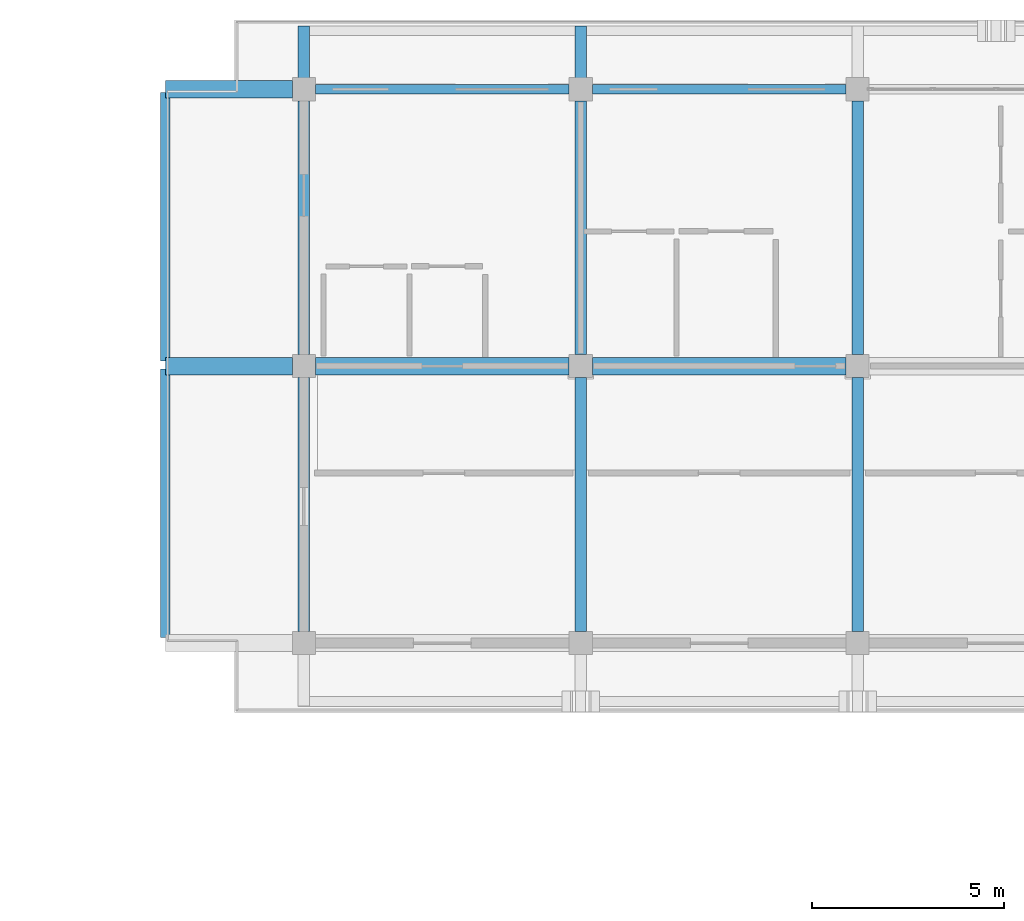
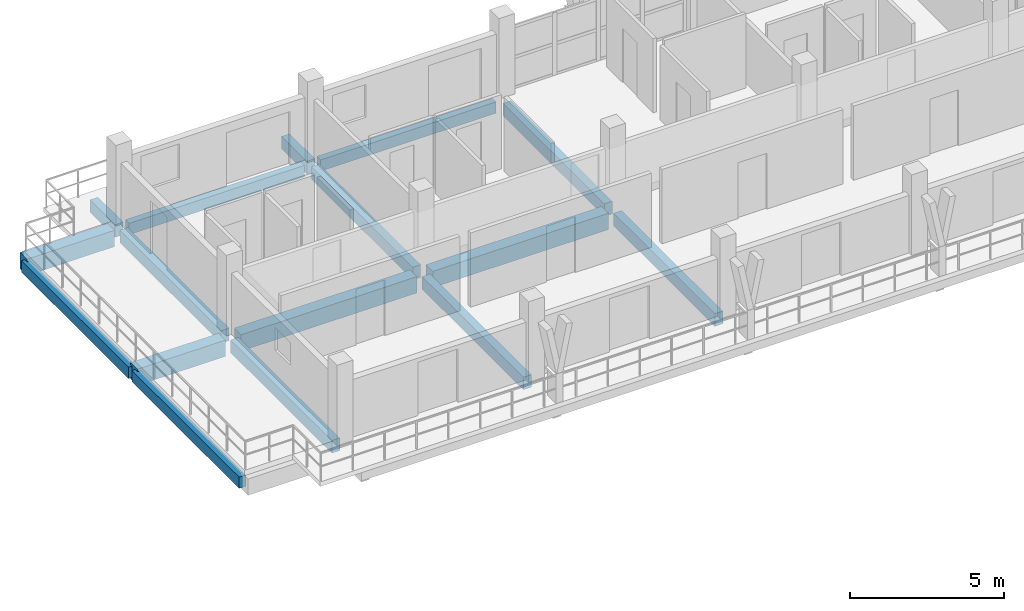
# One storey, part 8 of 65: 16 beams.
"""IFC4 building model written with IfcOpenShell, lengths in metres."""

import ifcopenshell
import ifcopenshell.guid

model = None  # the IFC model being written
_history = None  # IfcOwnerHistory: only IFC2X3 demands one
_inside = {}  # id of a spatial element -> (the spatial element, [elements in it])
_under = {}  # id of a project, library or spatial element -> (it, [spatial elements below it])
_declared = {}  # id of a project -> (the project, [libraries it declares])
_typed = {}  # id of a type object -> (the type object, [elements of that type])
_made_of = {}  # id of a material, layer set ... -> (it, [elements and type objects made of it])


def new_model(schema):
    """Start an empty IFC model of exactly this schema.

    Asked for "IFC4X3", IfcOpenShell would pick the latest addendum, in which some entities
    have other attributes; the version numbers below select the first issue.
    IFC2X3 requires an IfcOwnerHistory on every rooted entity: one is made here for all.
    """
    global model, _history
    if schema == "IFC4X3":
        model = ifcopenshell.file(schema_version=(4, 3, 0, 0))
    else:
        model = ifcopenshell.file(schema=schema)
    _inside.clear()
    _under.clear()
    _declared.clear()
    _typed.clear()
    _made_of.clear()
    _history = None
    if model.schema == "IFC2X3":
        org = make("IfcOrganization", Name="unknown")
        user = make(
            "IfcPersonAndOrganization",
            ThePerson=make("IfcPerson", FamilyName="unknown"),
            TheOrganization=org,
        )
        app = make(
            "IfcApplication",
            ApplicationDeveloper=org,
            Version="unknown",
            ApplicationFullName="unknown",
            ApplicationIdentifier="unknown",
        )
        _history = make(
            "IfcOwnerHistory",
            OwningUser=user,
            OwningApplication=app,
            ChangeAction="ADDED",
            CreationDate=0,
        )
    return model


def make(cls, **values):
    """One entity of the class cls with the attributes given. An attribute that is None is left unset."""
    return model.create_entity(
        cls, **{name: value for name, value in values.items() if value is not None}
    )


def rooted(cls, **values):
    """An entity with a GlobalId (a new one), such as an element, a storey or a relation."""
    return make(cls, GlobalId=ifcopenshell.guid.new(), OwnerHistory=_history, **values)


def si_unit(unit_type, name, prefix=None):
    """IfcSIUnit, for example si_unit("LENGTHUNIT", "METRE", prefix="MILLI")."""
    return make("IfcSIUnit", UnitType=unit_type, Prefix=prefix, Name=name)


def assignment(units):
    """IfcUnitAssignment: the units of a project."""
    return None if units is None else make("IfcUnitAssignment", Units=units)


def point(xyz):
    """IfcCartesianPoint."""
    return None if xyz is None else make("IfcCartesianPoint", Coordinates=xyz)


def direction(xyz):
    """IfcDirection."""
    return None if xyz is None else make("IfcDirection", DirectionRatios=xyz)


def frame(location, z_axis=None, x_axis=None):
    """IfcAxis2Placement3D, a coordinate frame: its origin and axes. An axis left out is left unset."""
    return make(
        "IfcAxis2Placement3D",
        Location=point(location),
        Axis=direction(z_axis),
        RefDirection=direction(x_axis),
    )


def frame_2d(location, x_axis=None):
    """IfcAxis2Placement2D, a coordinate frame in the plane: its origin and x axis."""
    return make(
        "IfcAxis2Placement2D", Location=point(location), RefDirection=direction(x_axis)
    )


def origin():
    """The frame at (0, 0, 0) with its axes left unset."""
    return frame((0.0, 0.0, 0.0))


def origin_2d():
    """The frame at (0, 0) in the plane with its x axis left unset."""
    return frame_2d((0.0, 0.0))


def place(relative_to, where):
    """IfcLocalPlacement: puts the frame where relative to a parent placement (None: the world)."""
    return make(
        "IfcLocalPlacement", PlacementRelTo=relative_to, RelativePlacement=where
    )


def context(
    kind, dimensions, precision=None, world=None, true_north=None, identifier=None
):
    """IfcGeometricRepresentationContext, for example the 3D "Model" context."""
    return make(
        "IfcGeometricRepresentationContext",
        ContextIdentifier=identifier,
        ContextType=kind,
        CoordinateSpaceDimension=dimensions,
        Precision=precision,
        WorldCoordinateSystem=world,
        TrueNorth=true_north,
    )


def subcontext(parent, identifier, kind, view, scale=None):
    """IfcGeometricRepresentationSubContext, for example "Body" below "Model"."""
    return make(
        "IfcGeometricRepresentationSubContext",
        ContextIdentifier=identifier,
        ContextType=kind,
        ParentContext=parent,
        TargetScale=scale,
        TargetView=view,
    )


def project(units=None, contexts=None):
    """IfcProject with its units and contexts."""
    return rooted(
        "IfcProject",
        Name="project",
        RepresentationContexts=contexts,
        UnitsInContext=assignment(units),
    )


def spatial(cls, under=None, at=None, **own):
    """A site, building, storey or space (cls), placed at a placement, below another one or the project."""
    s = rooted(cls, ObjectPlacement=at, **own)
    if under is not None:
        _under.setdefault(under.id(), (under, []))[1].append(s)
    return s


def profile(cls, at=None, kind="AREA", **sizes):
    """A parametric profile (cls). Its sizes go by their IFC names, for example OverallWidth=200.0."""
    return make(cls, ProfileType=kind, Position=at, **sizes)


def rectangle(**sizes):
    """IfcRectangleProfileDef."""
    return profile("IfcRectangleProfileDef", **sizes)


def extrude(swept, where, along, depth):
    """IfcExtrudedAreaSolid: the profile swept, set in the frame where, extruded along a direction by depth."""
    return make(
        "IfcExtrudedAreaSolid",
        SweptArea=swept,
        Position=where,
        ExtrudedDirection=direction(along),
        Depth=depth,
    )


def shape(context_of_items, identifier, shape_type, items):
    """IfcShapeRepresentation: the items that make up one representation, for example the "Body"."""
    return make(
        "IfcShapeRepresentation",
        ContextOfItems=context_of_items,
        RepresentationIdentifier=identifier,
        RepresentationType=shape_type,
        Items=items,
    )


def material(Name=None, Category=None):
    """IfcMaterial."""
    return make("IfcMaterial", Name=Name, Category=Category)


def material_profile(
    of_material, cross_section, Name=None, Category=None, Priority=None
):
    """IfcMaterialProfile: a cross section and its material."""
    return make(
        "IfcMaterialProfile",
        Name=Name,
        Material=of_material,
        Profile=cross_section,
        Priority=Priority,
        Category=Category,
    )


def profile_set(profiles, Name=None, composite=None):
    """IfcMaterialProfileSet."""
    return make(
        "IfcMaterialProfileSet",
        Name=Name,
        MaterialProfiles=profiles,
        CompositeProfile=composite,
    )


def made_of(thing, what):
    """Note that an element or type object is made of a material, layer set ...; save() writes the relation."""
    if what is not None:
        _made_of.setdefault(what.id(), (what, []))[1].append(thing)
    return thing


def type_object(cls, material=None, **own):
    """A type object (cls), such as IfcWallType, which elements share."""
    return made_of(rooted(cls, **own), material)


def element(
    cls,
    number,
    at=None,
    inside=None,
    cuts=None,
    type_object=None,
    material=None,
    context=None,
    identifier="Body",
    shape_type=None,
    held_by="IfcProductDefinitionShape",
    body=None,
    shapes=None,
    **own,
):
    """One element of the class cls, such as IfcWall. Its Tag is "e" and its number.

    at: its placement. inside: the storey or other place that contains it. cuts: it is an
    opening in that element (IfcRelVoidsElement). A single representation is given by context,
    identifier, shape_type and body (its items); several are given by shapes. held_by: the class
    of the entity that holds the representations. save() writes the other relations.
    """
    e = rooted(cls, Tag="e%d" % number, ObjectPlacement=at, **own)
    if body is not None:
        shapes = [shape(context, identifier, shape_type, body)]
    if shapes is not None:
        e.Representation = make(held_by, Representations=shapes)
    if inside is not None:
        _inside.setdefault(inside.id(), (inside, []))[1].append(e)
    if cuts is not None:
        rooted(
            "IfcRelVoidsElement", RelatingBuildingElement=cuts, RelatedOpeningElement=e
        )
    if type_object is not None:
        _typed.setdefault(type_object.id(), (type_object, []))[1].append(e)
    return made_of(e, material)


def aggregate(whole, parts):
    """IfcRelAggregates: a whole, such as a stair, and the parts it consists of."""
    return rooted("IfcRelAggregates", RelatingObject=whole, RelatedObjects=parts)


def save(model, path):
    """Write the relations noted so far, then the file.

    IfcRelAggregates (storeys below a building ...), IfcRelContainedInSpatialStructure (elements
    in a storey), IfcRelDefinesByType, IfcRelAssociatesMaterial and IfcRelDeclares: one each for
    every whole, place, type object, material and project.
    """
    for whole, parts in _under.values():
        aggregate(whole, parts)
    for where, things in _inside.values():
        rooted(
            "IfcRelContainedInSpatialStructure",
            RelatedElements=things,
            RelatingStructure=where,
        )
    for kind, things in _typed.values():
        rooted("IfcRelDefinesByType", RelatedObjects=things, RelatingType=kind)
    for what, things in _made_of.values():
        rooted("IfcRelAssociatesMaterial", RelatedObjects=things, RelatingMaterial=what)
    for by, libraries in _declared.values():
        rooted("IfcRelDeclares", RelatingContext=by, RelatedDefinitions=libraries)
    model.write(path)


model = new_model("IFC4")

# Units and contexts
model_context = context("Model", 3, precision=1e-05, world=origin(), true_north=direction((0.0, 1.0)))
body_context = subcontext(model_context, "Body", "Model", "MODEL_VIEW")
ifc_project = project(units=[si_unit("LENGTHUNIT", "METRE"), si_unit("AREAUNIT", "SQUARE_METRE"), si_unit("VOLUMEUNIT", "CUBIC_METRE"), si_unit("PLANEANGLEUNIT", "RADIAN"), si_unit("MASSUNIT", "GRAM", prefix="KILO")], contexts=[model_context])

# Site, building, storey
site_placement = place(None, origin())
site = spatial("IfcSite", under=ifc_project, at=site_placement, CompositionType="ELEMENT")
building_placement = place(site_placement, origin())
building = spatial("IfcBuilding", under=site, at=building_placement, Name="Suanplinth Sawtooth Commons", CompositionType="ELEMENT")
storey_placement = place(building_placement, frame((0.0, 0.0, 28.300048828125)))
storey = spatial("IfcBuildingStorey", under=building, at=storey_placement, Name="L08", CompositionType="ELEMENT", Elevation=28.300048828125)

# Beams
ifc_material = material(Name="Precast concrete C40/50", Category="concrete")
ifc_material_profile_1 = material_profile(ifc_material, rectangle(XDim=0.449951171875, YDim=0.64990234375, at=origin_2d()), Name="PC-GDR 450x650")
ifc_profile_set_1 = profile_set([ifc_material_profile_1], Name="Precast concrete C40/50")
beam_type_1 = type_object("IfcBeamType", Name="B-04", PredefinedType="USERDEFINED", material=ifc_profile_set_1)
for number, where, z_axis, x_axis, name in (
    (1, (14.699951171875, 115.199951171875, -0.53515625), (1.0, 0.0, 0.0), (0.0, 1.0, 0.0), "BMX-L08-A-2-16"),
    (2, (21.89990234375, 115.199951171875, -0.53515625), (1.0, 0.0, 0.0), (0.0, 1.0, 0.0), "BMX-L08-A-3-16"),
):
    element("IfcBeam", number, at=place(storey_placement, frame(where, z_axis=z_axis, x_axis=x_axis)), inside=storey, type_object=beam_type_1, Name=name, ObjectType="GIRDER", PredefinedType="USERDEFINED", context=body_context, shape_type="SweptSolid", body=[
        extrude(rectangle(XDim=0.449951171875, YDim=0.64990234375, at=origin_2d()), origin(), (0.0, 0.0, 1.0), 6.60009765625),
    ])
for number, where, z_axis, x_axis, name in (
    (3, (14.10009765625, 115.199951171875, -0.53515625), (-1.0, 0.0, 0.0), (0.0, -1.0, 0.0), "BMX-L08-A-WCANT-16"),
    (4, (14.10009765625, 122.39990234375, -0.53515625), (-1.0, 0.0, 0.0), (0.0, -1.0, 0.0), "BMX-L08-A-WCANT-17"),
):
    element("IfcBeam", number, at=place(storey_placement, frame(where, z_axis=z_axis, x_axis=x_axis)), inside=storey, type_object=beam_type_1, Name=name, ObjectType="GIRDER", PredefinedType="USERDEFINED", context=body_context, shape_type="SweptSolid", body=[
        extrude(rectangle(XDim=0.449951171875, YDim=0.64990234375, at=origin_2d()), origin(), (0.0, 0.0, 1.0), 3.300048828125),
    ])
ifc_material_profile_2 = material_profile(ifc_material, rectangle(XDim=0.300048828125, YDim=0.5, at=origin_2d()), Name="PC-BM 300x500")
ifc_profile_set_2 = profile_set([ifc_material_profile_2], Name="Precast concrete C40/50")
beam_type_2 = type_object("IfcBeamType", Name="B-07", PredefinedType="BEAM", material=ifc_profile_set_2)
beam_1_placement = place(storey_placement, frame((14.39990234375, 108.300048828125, -0.4599609375), z_axis=(0.0, 1.0, 0.0), x_axis=(-1.0, 0.0, 0.0)))
element("IfcBeam", 5, at=beam_1_placement, inside=storey, type_object=beam_type_2, Name="BMY-L08-A-2-15", PredefinedType="BEAM", context=body_context, shape_type="SweptSolid", body=[
    extrude(rectangle(XDim=0.300048828125, YDim=0.5, at=origin_2d()), origin(), (0.0, 0.0, 1.0), 6.599853515625),
])
beam_2_placement = place(storey_placement, frame((14.39990234375, 115.5, -0.4599609375), z_axis=(0.0, 1.0, 0.0), x_axis=(-1.0, 0.0, 0.0)))
element("IfcBeam", 6, at=beam_2_placement, inside=storey, type_object=beam_type_2, Name="BMY-L08-A-2-16", PredefinedType="BEAM", context=body_context, shape_type="SweptSolid", body=[
    extrude(rectangle(XDim=0.300048828125, YDim=0.5, at=origin_2d()), origin(), (0.0, 0.0, 1.0), 6.60009765625),
])
beam_3_placement = place(storey_placement, frame((21.60009765625, 108.300048828125, -0.4599609375), z_axis=(0.0, 1.0, 0.0), x_axis=(-1.0, 0.0, 0.0)))
element("IfcBeam", 7, at=beam_3_placement, inside=storey, type_object=beam_type_2, Name="BMY-L08-A-3-15", PredefinedType="BEAM", context=body_context, shape_type="SweptSolid", body=[
    extrude(rectangle(XDim=0.300048828125, YDim=0.5, at=origin_2d()), origin(), (0.0, 0.0, 1.0), 6.599853515625),
])
beam_4_placement = place(storey_placement, frame((21.60009765625, 115.5, -0.4599609375), z_axis=(0.0, 1.0, 0.0), x_axis=(-1.0, 0.0, 0.0)))
element("IfcBeam", 8, at=beam_4_placement, inside=storey, type_object=beam_type_2, Name="BMY-L08-A-3-16", PredefinedType="BEAM", context=body_context, shape_type="SweptSolid", body=[
    extrude(rectangle(XDim=0.300048828125, YDim=0.5, at=origin_2d()), origin(), (0.0, 0.0, 1.0), 6.60009765625),
])
beam_5_placement = place(storey_placement, frame((28.800048828125, 108.300048828125, -0.4599609375), z_axis=(0.0, 1.0, 0.0), x_axis=(-1.0, 0.0, 0.0)))
element("IfcBeam", 9, at=beam_5_placement, inside=storey, type_object=beam_type_2, Name="BMY-L08-A-4-15", PredefinedType="BEAM", context=body_context, shape_type="SweptSolid", body=[
    extrude(rectangle(XDim=0.300048828125, YDim=0.5, at=origin_2d()), origin(), (0.0, 0.0, 1.0), 6.599853515625),
])
beam_6_placement = place(storey_placement, frame((28.800048828125, 115.5, -0.4599609375), z_axis=(0.0, 1.0, 0.0), x_axis=(-1.0, 0.0, 0.0)))
element("IfcBeam", 10, at=beam_6_placement, inside=storey, type_object=beam_type_2, Name="BMY-L08-A-4-16", PredefinedType="BEAM", context=body_context, shape_type="SweptSolid", body=[
    extrude(rectangle(XDim=0.300048828125, YDim=0.5, at=origin_2d()), origin(), (0.0, 0.0, 1.0), 6.60009765625),
])
for number, where, z_axis, x_axis, name in (
    (11, (14.39990234375, 122.39990234375, -0.429931640625), (0.0, 1.0, 0.0), (-1.0, 0.0, 0.0), "Balcony Outrigger L08-A-N-2"),
    (12, (21.60009765625, 122.39990234375, -0.429931640625), (0.0, 1.0, 0.0), (-1.0, 0.0, 0.0), "Balcony Outrigger L08-A-N-3"),
):
    element("IfcBeam", number, at=place(storey_placement, frame(where, z_axis=z_axis, x_axis=x_axis)), inside=storey, type_object=beam_type_2, Name=name, PredefinedType="BEAM", context=body_context, shape_type="SweptSolid", body=[
        extrude(rectangle(XDim=0.300048828125, YDim=0.5, at=origin_2d()), origin(), (0.0, 0.0, 1.0), 1.64013671875),
    ])
ifc_material_profile_3 = material_profile(ifc_material, rectangle(XDim=0.25, YDim=0.449951171875, at=origin_2d()), Name="PC-SP 250x450")
ifc_profile_set_3 = profile_set([ifc_material_profile_3], Name="Precast concrete C40/50")
beam_type_3 = type_object("IfcBeamType", Name="B-09", PredefinedType="SPANDREL", material=ifc_profile_set_3)
for number, where, z_axis, x_axis, name in (
    (13, (14.699951171875, 122.39990234375, -0.43505859375), (1.0, 0.0, 0.0), (0.0, 1.0, 0.0), "BMX-L08-A-2-17"),
    (14, (21.89990234375, 122.39990234375, -0.43505859375), (1.0, 0.0, 0.0), (0.0, 1.0, 0.0), "BMX-L08-A-3-17"),
):
    element("IfcBeam", number, at=place(storey_placement, frame(where, z_axis=z_axis, x_axis=x_axis)), inside=storey, type_object=beam_type_3, Name=name, PredefinedType="SPANDREL", context=body_context, shape_type="SweptSolid", body=[
        extrude(rectangle(XDim=0.25, YDim=0.449951171875, at=origin_2d()), origin(), (0.0, 0.0, 1.0), 6.60009765625),
    ])
beam_7_placement = place(storey_placement, frame((10.800048828125, 108.139892578125, -0.53515625), z_axis=(0.0, 1.0, 0.0), x_axis=(-1.0, 0.0, 0.0)))
element("IfcBeam", 15, at=beam_7_placement, inside=storey, type_object=beam_type_3, Name="BMY-L08-A-STEP-108-15", PredefinedType="SPANDREL", context=body_context, shape_type="SweptSolid", body=[
    extrude(rectangle(XDim=0.25, YDim=0.449951171875, at=origin_2d()), origin(), (0.0, 0.0, 1.0), 6.980224609375),
])
beam_8_placement = place(storey_placement, frame((10.800048828125, 115.340087890625, -0.53515625), z_axis=(0.0, 1.0, 0.0), x_axis=(-1.0, 0.0, 0.0)))
element("IfcBeam", 16, at=beam_8_placement, inside=storey, type_object=beam_type_3, Name="BMY-L08-A-STEP-108-16", PredefinedType="SPANDREL", context=body_context, shape_type="SweptSolid", body=[
    extrude(rectangle(XDim=0.25, YDim=0.449951171875, at=origin_2d()), origin(), (0.0, 0.0, 1.0), 6.97998046875),
])

save(model, "model.ifc")
